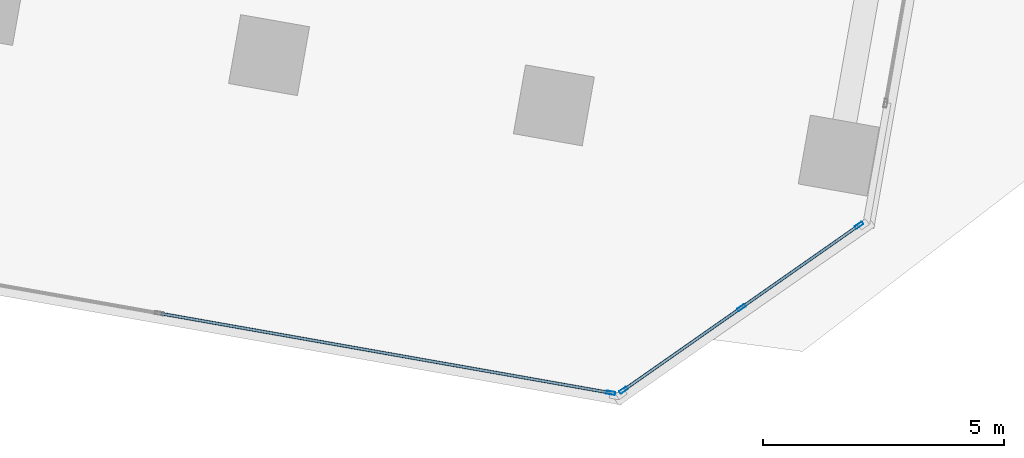
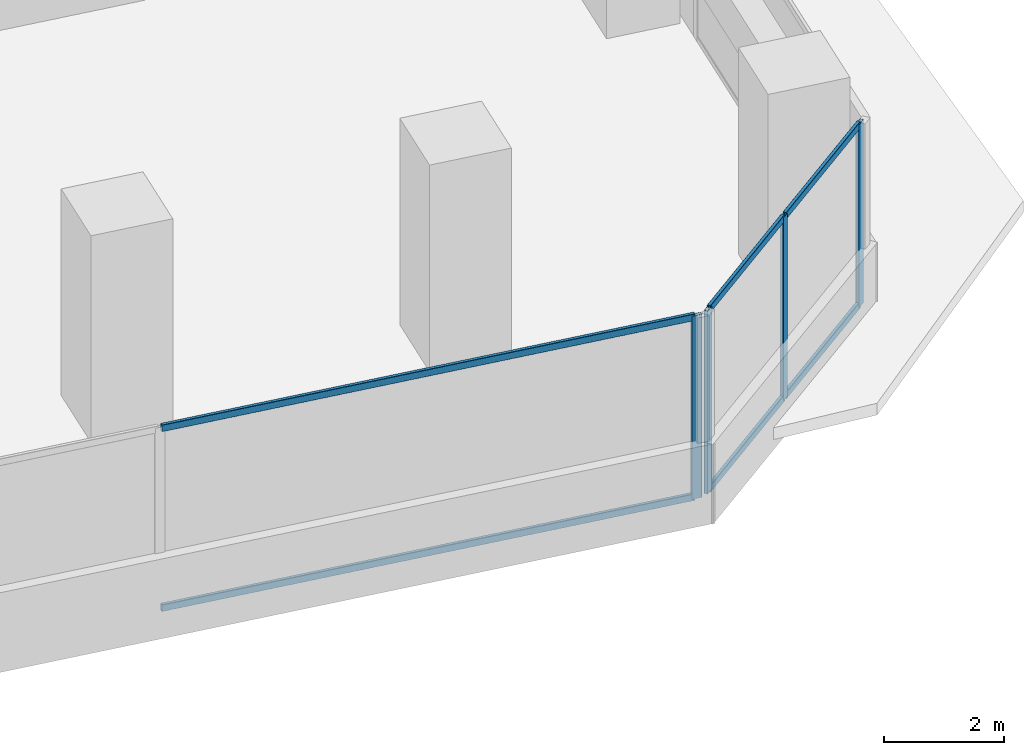
# One storey, part 8 of 24: 10 members, 2 elements without a shape of their own.
"""IFC4 building model written with IfcOpenShell, lengths in metres."""

import ifcopenshell
import ifcopenshell.guid

model = None  # the IFC model being written
_history = None  # IfcOwnerHistory: only IFC2X3 demands one
_inside = {}  # id of a spatial element -> (the spatial element, [elements in it])
_under = {}  # id of a project, library or spatial element -> (it, [spatial elements below it])
_declared = {}  # id of a project -> (the project, [libraries it declares])
_typed = {}  # id of a type object -> (the type object, [elements of that type])
_made_of = {}  # id of a material, layer set ... -> (it, [elements and type objects made of it])


def new_model(schema):
    """Start an empty IFC model of exactly this schema.

    Asked for "IFC4X3", IfcOpenShell would pick the latest addendum, in which some entities
    have other attributes; the version numbers below select the first issue.
    IFC2X3 requires an IfcOwnerHistory on every rooted entity: one is made here for all.
    """
    global model, _history
    if schema == "IFC4X3":
        model = ifcopenshell.file(schema_version=(4, 3, 0, 0))
    else:
        model = ifcopenshell.file(schema=schema)
    _inside.clear()
    _under.clear()
    _declared.clear()
    _typed.clear()
    _made_of.clear()
    _history = None
    if model.schema == "IFC2X3":
        org = make("IfcOrganization", Name="unknown")
        user = make(
            "IfcPersonAndOrganization",
            ThePerson=make("IfcPerson", FamilyName="unknown"),
            TheOrganization=org,
        )
        app = make(
            "IfcApplication",
            ApplicationDeveloper=org,
            Version="unknown",
            ApplicationFullName="unknown",
            ApplicationIdentifier="unknown",
        )
        _history = make(
            "IfcOwnerHistory",
            OwningUser=user,
            OwningApplication=app,
            ChangeAction="ADDED",
            CreationDate=0,
        )
    return model


def make(cls, **values):
    """One entity of the class cls with the attributes given. An attribute that is None is left unset."""
    return model.create_entity(
        cls, **{name: value for name, value in values.items() if value is not None}
    )


def rooted(cls, **values):
    """An entity with a GlobalId (a new one), such as an element, a storey or a relation."""
    return make(cls, GlobalId=ifcopenshell.guid.new(), OwnerHistory=_history, **values)


def si_unit(unit_type, name, prefix=None):
    """IfcSIUnit, for example si_unit("LENGTHUNIT", "METRE", prefix="MILLI")."""
    return make("IfcSIUnit", UnitType=unit_type, Prefix=prefix, Name=name)


def assignment(units):
    """IfcUnitAssignment: the units of a project."""
    return None if units is None else make("IfcUnitAssignment", Units=units)


def point(xyz):
    """IfcCartesianPoint."""
    return None if xyz is None else make("IfcCartesianPoint", Coordinates=xyz)


def direction(xyz):
    """IfcDirection."""
    return None if xyz is None else make("IfcDirection", DirectionRatios=xyz)


def frame(location, z_axis=None, x_axis=None):
    """IfcAxis2Placement3D, a coordinate frame: its origin and axes. An axis left out is left unset."""
    return make(
        "IfcAxis2Placement3D",
        Location=point(location),
        Axis=direction(z_axis),
        RefDirection=direction(x_axis),
    )


def frame_2d(location, x_axis=None):
    """IfcAxis2Placement2D, a coordinate frame in the plane: its origin and x axis."""
    return make(
        "IfcAxis2Placement2D", Location=point(location), RefDirection=direction(x_axis)
    )


def origin():
    """The frame at (0, 0, 0) with its axes left unset."""
    return frame((0.0, 0.0, 0.0))


def origin_2d():
    """The frame at (0, 0) in the plane with its x axis left unset."""
    return frame_2d((0.0, 0.0))


def place(relative_to, where):
    """IfcLocalPlacement: puts the frame where relative to a parent placement (None: the world)."""
    return make(
        "IfcLocalPlacement", PlacementRelTo=relative_to, RelativePlacement=where
    )


def context(
    kind, dimensions, precision=None, world=None, true_north=None, identifier=None
):
    """IfcGeometricRepresentationContext, for example the 3D "Model" context."""
    return make(
        "IfcGeometricRepresentationContext",
        ContextIdentifier=identifier,
        ContextType=kind,
        CoordinateSpaceDimension=dimensions,
        Precision=precision,
        WorldCoordinateSystem=world,
        TrueNorth=true_north,
    )


def subcontext(parent, identifier, kind, view, scale=None):
    """IfcGeometricRepresentationSubContext, for example "Body" below "Model"."""
    return make(
        "IfcGeometricRepresentationSubContext",
        ContextIdentifier=identifier,
        ContextType=kind,
        ParentContext=parent,
        TargetScale=scale,
        TargetView=view,
    )


def project(units=None, contexts=None):
    """IfcProject with its units and contexts."""
    return rooted(
        "IfcProject",
        Name="project",
        RepresentationContexts=contexts,
        UnitsInContext=assignment(units),
    )


def spatial(cls, under=None, at=None, **own):
    """A site, building, storey or space (cls), placed at a placement, below another one or the project."""
    s = rooted(cls, ObjectPlacement=at, **own)
    if under is not None:
        _under.setdefault(under.id(), (under, []))[1].append(s)
    return s


def profile(cls, at=None, kind="AREA", **sizes):
    """A parametric profile (cls). Its sizes go by their IFC names, for example OverallWidth=200.0."""
    return make(cls, ProfileType=kind, Position=at, **sizes)


def hollow_rectangle(**sizes):
    """IfcRectangleHollowProfileDef."""
    return profile("IfcRectangleHollowProfileDef", **sizes)


def extrude(swept, where, along, depth):
    """IfcExtrudedAreaSolid: the profile swept, set in the frame where, extruded along a direction by depth."""
    return make(
        "IfcExtrudedAreaSolid",
        SweptArea=swept,
        Position=where,
        ExtrudedDirection=direction(along),
        Depth=depth,
    )


def shape(context_of_items, identifier, shape_type, items):
    """IfcShapeRepresentation: the items that make up one representation, for example the "Body"."""
    return make(
        "IfcShapeRepresentation",
        ContextOfItems=context_of_items,
        RepresentationIdentifier=identifier,
        RepresentationType=shape_type,
        Items=items,
    )


def source(mapping_origin, context_of_items, identifier, shape_type, items):
    """IfcRepresentationMap: a shape defined once, which mapped items show again and again."""
    return make(
        "IfcRepresentationMap",
        MappingOrigin=mapping_origin,
        MappedRepresentation=shape(context_of_items, identifier, shape_type, items),
    )


def transform(
    local_origin,
    x_axis=None,
    y_axis=None,
    z_axis=None,
    scale=None,
    scale2=None,
    scale3=None,
    uniform=True,
):
    """IfcCartesianTransformationOperator3D, or its non-uniform kind. x_axis, y_axis, z_axis: its Axis1, 2, 3."""
    if uniform:
        return make(
            "IfcCartesianTransformationOperator3D",
            Axis1=direction(x_axis),
            Axis2=direction(y_axis),
            LocalOrigin=point(local_origin),
            Scale=scale,
            Axis3=direction(z_axis),
        )
    return make(
        "IfcCartesianTransformationOperator3DnonUniform",
        Axis1=direction(x_axis),
        Axis2=direction(y_axis),
        LocalOrigin=point(local_origin),
        Scale=scale,
        Axis3=direction(z_axis),
        Scale2=scale2,
        Scale3=scale3,
    )


def mapped(mapping_source, mapping_target):
    """IfcMappedItem: shows the shape of a source again, moved by a transform."""
    return make(
        "IfcMappedItem", MappingSource=mapping_source, MappingTarget=mapping_target
    )


def material(Name=None, Category=None):
    """IfcMaterial."""
    return make("IfcMaterial", Name=Name, Category=Category)


def material_profile(
    of_material, cross_section, Name=None, Category=None, Priority=None
):
    """IfcMaterialProfile: a cross section and its material."""
    return make(
        "IfcMaterialProfile",
        Name=Name,
        Material=of_material,
        Profile=cross_section,
        Priority=Priority,
        Category=Category,
    )


def profile_set(profiles, Name=None, composite=None):
    """IfcMaterialProfileSet."""
    return make(
        "IfcMaterialProfileSet",
        Name=Name,
        MaterialProfiles=profiles,
        CompositeProfile=composite,
    )


def made_of(thing, what):
    """Note that an element or type object is made of a material, layer set ...; save() writes the relation."""
    if what is not None:
        _made_of.setdefault(what.id(), (what, []))[1].append(thing)
    return thing


def type_object(cls, material=None, **own):
    """A type object (cls), such as IfcWallType, which elements share."""
    return made_of(rooted(cls, **own), material)


def element(
    cls,
    number,
    at=None,
    inside=None,
    cuts=None,
    type_object=None,
    material=None,
    context=None,
    identifier="Body",
    shape_type=None,
    held_by="IfcProductDefinitionShape",
    body=None,
    shapes=None,
    **own,
):
    """One element of the class cls, such as IfcWall. Its Tag is "e" and its number.

    at: its placement. inside: the storey or other place that contains it. cuts: it is an
    opening in that element (IfcRelVoidsElement). A single representation is given by context,
    identifier, shape_type and body (its items); several are given by shapes. held_by: the class
    of the entity that holds the representations. save() writes the other relations.
    """
    e = rooted(cls, Tag="e%d" % number, ObjectPlacement=at, **own)
    if body is not None:
        shapes = [shape(context, identifier, shape_type, body)]
    if shapes is not None:
        e.Representation = make(held_by, Representations=shapes)
    if inside is not None:
        _inside.setdefault(inside.id(), (inside, []))[1].append(e)
    if cuts is not None:
        rooted(
            "IfcRelVoidsElement", RelatingBuildingElement=cuts, RelatedOpeningElement=e
        )
    if type_object is not None:
        _typed.setdefault(type_object.id(), (type_object, []))[1].append(e)
    return made_of(e, material)


def aggregate(whole, parts):
    """IfcRelAggregates: a whole, such as a stair, and the parts it consists of."""
    return rooted("IfcRelAggregates", RelatingObject=whole, RelatedObjects=parts)


def save(model, path):
    """Write the relations noted so far, then the file.

    IfcRelAggregates (storeys below a building ...), IfcRelContainedInSpatialStructure (elements
    in a storey), IfcRelDefinesByType, IfcRelAssociatesMaterial and IfcRelDeclares: one each for
    every whole, place, type object, material and project.
    """
    for whole, parts in _under.values():
        aggregate(whole, parts)
    for where, things in _inside.values():
        rooted(
            "IfcRelContainedInSpatialStructure",
            RelatedElements=things,
            RelatingStructure=where,
        )
    for kind, things in _typed.values():
        rooted("IfcRelDefinesByType", RelatedObjects=things, RelatingType=kind)
    for what, things in _made_of.values():
        rooted("IfcRelAssociatesMaterial", RelatedObjects=things, RelatingMaterial=what)
    for by, libraries in _declared.values():
        rooted("IfcRelDeclares", RelatingContext=by, RelatedDefinitions=libraries)
    model.write(path)


model = new_model("IFC4")

# Units and contexts
model_context = context("Model", 3, precision=1e-05, world=origin(), true_north=direction((0.0, 1.0)))
body_context = subcontext(model_context, "Body", "Model", "MODEL_VIEW")
ifc_project = project(units=[si_unit("LENGTHUNIT", "METRE"), si_unit("AREAUNIT", "SQUARE_METRE"), si_unit("VOLUMEUNIT", "CUBIC_METRE"), si_unit("PLANEANGLEUNIT", "RADIAN"), si_unit("MASSUNIT", "GRAM", prefix="KILO")], contexts=[model_context])

# Site, building, storey
site_placement = place(None, origin())
site = spatial("IfcSite", under=ifc_project, at=site_placement, CompositionType="ELEMENT")
building_placement = place(site_placement, origin())
building = spatial("IfcBuilding", under=site, at=building_placement, Name="Torre Montelarca", CompositionType="ELEMENT")
storey_placement = place(building_placement, frame((0.0, 0.0, 74.800048828125)))
storey = spatial("IfcBuildingStorey", under=building, at=storey_placement, Name="L16", CompositionType="ELEMENT", Elevation=74.800048828125)

# Curtain wall, members
ifc_material_1 = material(Name="Insulated low-E laminated glass", Category="glass")
curtain_wall_type = type_object("IfcCurtainWallType", Name="CW-SYS-Z1", PredefinedType="USERDEFINED", material=ifc_material_1)
curtain_wall_1_placement = place(storey_placement, origin())
curtain_wall_1 = element("IfcCurtainWall", 1, at=curtain_wall_1_placement, inside=storey, type_object=curtain_wall_type, Name="L16 Curtain Wall Run CW-T3-L16-E05-B1", ObjectType="UNITISED GLAZING", PredefinedType="USERDEFINED")
ifc_material_2 = material(Name="Anodised aluminium AA 6063-T6", Category="aluminium")
ifc_material_profile_1 = material_profile(ifc_material_2, hollow_rectangle(XDim=0.06494140625, YDim=0.139892578125, WallThickness=0.00390625, InnerFilletRadius=0.00390625, OuterFilletRadius=0.008056640625, at=origin_2d()), Name="ALU65X140X4", Category="aluminium")
ifc_profile_set_1 = profile_set([ifc_material_profile_1], Name="Anodised aluminium AA 6063-T6")
member_type_1 = type_object("IfcMemberType", Name="CWT-ALU140", PredefinedType="USERDEFINED", material=ifc_profile_set_1)
shared_shape_1 = source(origin(), body_context, "Body", "SweptSolid", [
    extrude(hollow_rectangle(XDim=0.06494140625, YDim=0.139892578125, WallThickness=0.00390625, InnerFilletRadius=0.00390625, OuterFilletRadius=0.008056640625, at=origin_2d()), origin(), (0.0, 0.0, 1.0), 2.918701171875),
])
member_1_placement = place(storey_placement, frame((56.031982421875, 14.299560546875, 0.032470703125), z_axis=(0.819157248605, 0.573569003746, 0.0), x_axis=(-0.573569003746, 0.819157248605, 0.0)))
member_1 = element("IfcMember", 2, at=member_1_placement, type_object=member_type_1, Name="CW transom 2.1", ObjectType="TRANSOM", PredefinedType="USERDEFINED", context=body_context, shape_type="MappedRepresentation", body=[
    mapped(shared_shape_1, transform((0.0, 0.0, 0.0), scale=1.0)),
])
member_2_placement = place(storey_placement, frame((56.031982421875, 14.299560546875, 3.6875), z_axis=(0.819157248605, 0.573569003746, 0.0), x_axis=(-0.573569003746, 0.819157248605, 0.0)))
member_2 = element("IfcMember", 3, at=member_2_placement, type_object=member_type_1, Name="CW transom 2.2", ObjectType="TRANSOM", PredefinedType="USERDEFINED", context=body_context, shape_type="MappedRepresentation", body=[
    mapped(shared_shape_1, transform((0.0, 0.0, 0.0), scale=1.0)),
])
shared_shape_2 = source(origin(), body_context, "Body", "SweptSolid", [
    extrude(hollow_rectangle(XDim=0.06494140625, YDim=0.139892578125, WallThickness=0.00390625, InnerFilletRadius=0.00390625, OuterFilletRadius=0.008056640625, at=origin_2d()), origin(), (0.0, 0.0, 1.0), 2.91845703125),
])
member_3_placement = place(storey_placement, frame((53.587890625, 12.58837890625, 0.032470703125), z_axis=(0.819196549646, 0.573512870865, 0.0), x_axis=(-0.573512870865, 0.819196549646, 0.0)))
member_3 = element("IfcMember", 4, at=member_3_placement, type_object=member_type_1, Name="CW transom 1.1", ObjectType="TRANSOM", PredefinedType="USERDEFINED", context=body_context, shape_type="MappedRepresentation", body=[
    mapped(shared_shape_2, transform((0.0, 0.0, 0.0), scale=1.0)),
])
member_4_placement = place(storey_placement, frame((53.587890625, 12.58837890625, 3.6875), z_axis=(0.819196549646, 0.573512870865, 0.0), x_axis=(-0.573512870865, 0.819196549646, 0.0)))
member_4 = element("IfcMember", 5, at=member_4_placement, type_object=member_type_1, Name="CW transom 1.2", ObjectType="TRANSOM", PredefinedType="USERDEFINED", context=body_context, shape_type="MappedRepresentation", body=[
    mapped(shared_shape_2, transform((0.0, 0.0, 0.0), scale=1.0)),
])

curtain_wall_2_placement = place(storey_placement, origin())
curtain_wall_2 = element("IfcCurtainWall", 6, at=curtain_wall_2_placement, inside=storey, type_object=curtain_wall_type, Name="L16 Curtain Wall Run CW-T3-L16-E04-B1", ObjectType="UNITISED GLAZING", PredefinedType="USERDEFINED")
shared_shape_3 = source(origin(), body_context, "Body", "SweptSolid", [
    extrude(hollow_rectangle(XDim=0.06494140625, YDim=0.139892578125, WallThickness=0.00390625, InnerFilletRadius=0.00390625, OuterFilletRadius=0.008056640625, at=origin_2d()), origin(), (0.0, 0.0, 1.0), 9.448486328125),
])
member_5_placement = place(storey_placement, frame((43.963623046875, 14.158203125, 0.032470703125), z_axis=(0.984809300493, -0.173639401236, 0.0), x_axis=(0.173639401236, 0.984809300493, 0.0)))
member_5 = element("IfcMember", 7, at=member_5_placement, type_object=member_type_1, Name="CW transom 2.1", ObjectType="TRANSOM", PredefinedType="USERDEFINED", context=body_context, shape_type="MappedRepresentation", body=[
    mapped(shared_shape_3, transform((0.0, 0.0, 0.0), scale=1.0)),
])
member_6_placement = place(storey_placement, frame((43.963623046875, 14.158203125, 3.6875), z_axis=(0.984809300493, -0.173639401236, 0.0), x_axis=(0.173639401236, 0.984809300493, 0.0)))
member_6 = element("IfcMember", 8, at=member_6_placement, type_object=member_type_1, Name="CW transom 2.2", ObjectType="TRANSOM", PredefinedType="USERDEFINED", context=body_context, shape_type="MappedRepresentation", body=[
    mapped(shared_shape_3, transform((0.0, 0.0, 0.0), scale=1.0)),
])
ifc_material_profile_2 = material_profile(ifc_material_2, hollow_rectangle(XDim=0.06494140625, YDim=0.179931640625, WallThickness=0.00390625, InnerFilletRadius=0.00390625, OuterFilletRadius=0.008056640625, at=origin_2d()), Name="ALU65X180X4", Category="aluminium")
ifc_profile_set_2 = profile_set([ifc_material_profile_2], Name="Anodised aluminium AA 6063-T6")
member_type_2 = type_object("IfcMemberType", Name="CWM-ALU180", PredefinedType="MULLION", material=ifc_profile_set_2)
shared_shape_4 = source(origin(), body_context, "Body", "SweptSolid", [
    extrude(hollow_rectangle(XDim=0.06494140625, YDim=0.179931640625, WallThickness=0.00390625, InnerFilletRadius=0.00390625, OuterFilletRadius=0.008056640625, at=origin_2d()), origin(), (0.0, 0.0, 1.0), 3.719970703125),
])
member_7_placement = place(storey_placement, frame((53.300537109375, 12.511962890625, 0.0), z_axis=(0.0, 0.0, 1.0), x_axis=(0.173643103331, 0.984808647741, 0.0)))
member_7 = element("IfcMember", 9, at=member_7_placement, type_object=member_type_2, Name="CW mullion 3", PredefinedType="MULLION", context=body_context, shape_type="MappedRepresentation", body=[
    mapped(shared_shape_4, transform((0.0, 0.0, 0.0), scale=1.0)),
])
aggregate(curtain_wall_2, [member_7, member_5, member_6])

# Member
member_8_placement = place(storey_placement, frame((53.561279296875, 12.569580078125, 0.0), z_axis=(0.0, 0.0, 1.0), x_axis=(-0.573545784811, 0.819173505874, 0.0)))
member_8 = element("IfcMember", 10, at=member_8_placement, type_object=member_type_2, Name="CW mullion 1", PredefinedType="MULLION", context=body_context, shape_type="MappedRepresentation", body=[
    mapped(shared_shape_4, transform((0.0, 0.0, 0.0), scale=1.0)),
])

member_9_placement = place(storey_placement, frame((56.00537109375, 14.281005859375, 0.0), z_axis=(0.0, 0.0, 1.0), x_axis=(-0.573545784811, 0.819173505874, 0.0)))
member_9 = element("IfcMember", 11, at=member_9_placement, type_object=member_type_2, Name="CW mullion 2", PredefinedType="MULLION", context=body_context, shape_type="MappedRepresentation", body=[
    mapped(shared_shape_4, transform((0.0, 0.0, 0.0), scale=1.0)),
])

member_10_placement = place(storey_placement, frame((58.449462890625, 15.9921875, 0.0), z_axis=(0.0, 0.0, 1.0), x_axis=(-0.573545784811, 0.819173505874, 0.0)))
member_10 = element("IfcMember", 12, at=member_10_placement, type_object=member_type_2, Name="CW mullion 3", PredefinedType="MULLION", context=body_context, shape_type="MappedRepresentation", body=[
    mapped(shared_shape_4, transform((0.0, 0.0, 0.0), scale=1.0)),
])

aggregate(curtain_wall_1, [member_8, member_9, member_10, member_3, member_4, member_1, member_2])

save(model, "model.ifc")
